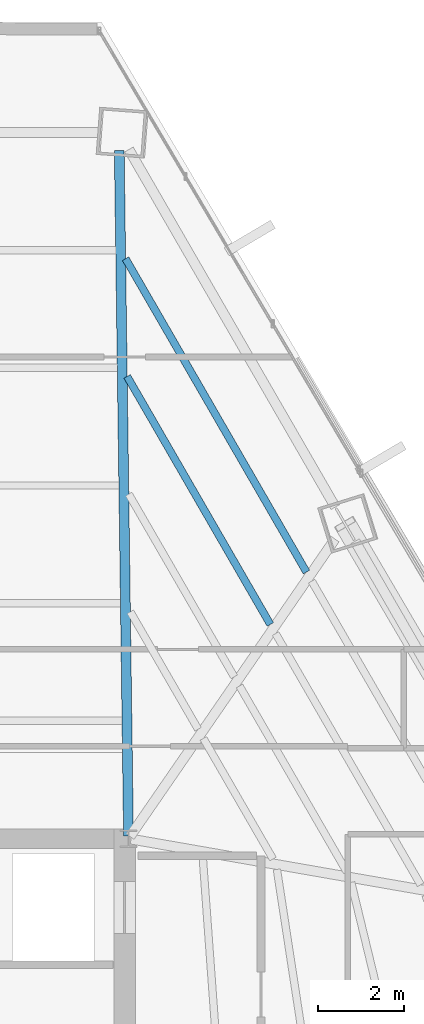
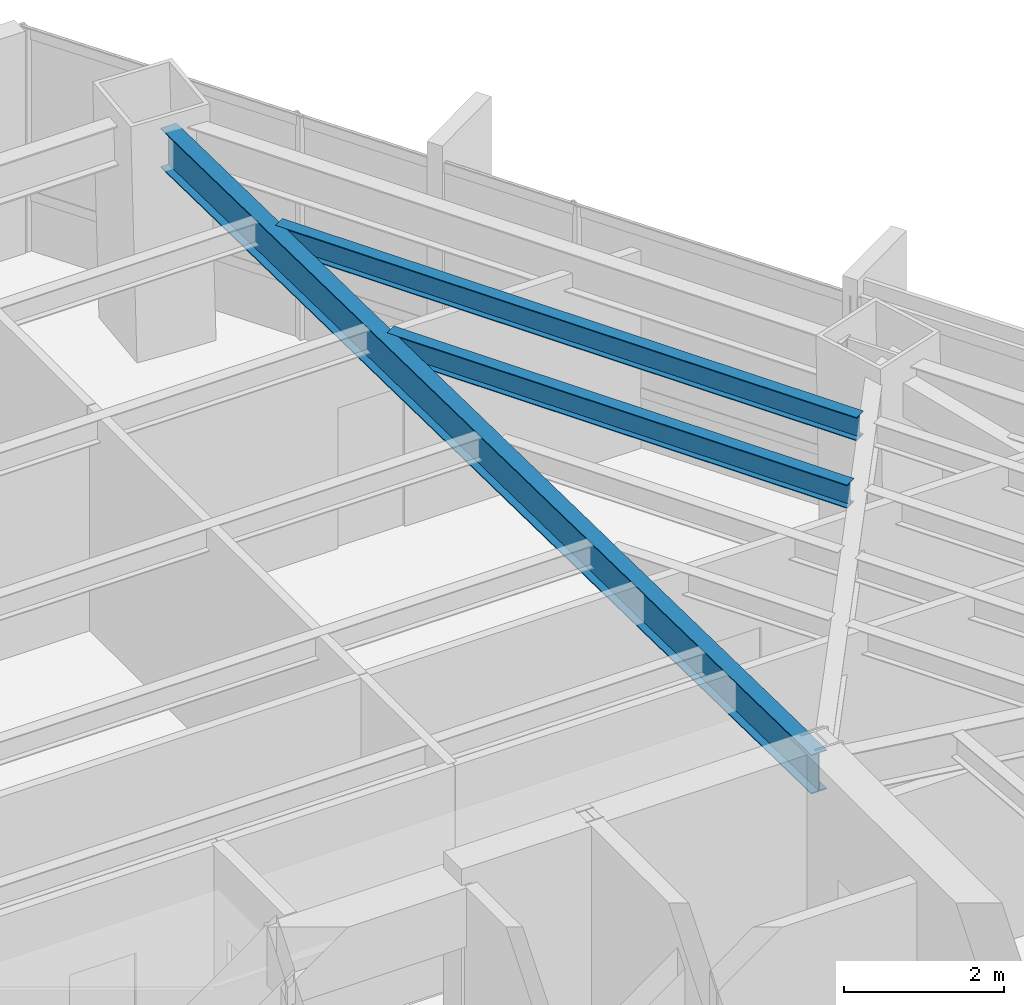
# One storey, part 26 of 35: 3 beams.
"""IFC4 building model written with IfcOpenShell, lengths in metres."""

from ifc_helpers import new_model, si_unit, direction, frame, origin, origin_2d, place, context, subcontext, project, spatial, i_section, extrude, source, transform, mapped, material, material_profile, profile_set, type_object, type_shapes, element, save


model = new_model("IFC4")

# Units and contexts
model_context = context("Model", 3, precision=1e-05, world=origin(), true_north=direction((0.0, 1.0)))
body_context = subcontext(model_context, "Body", "Model", "MODEL_VIEW")
ifc_project = project(units=[si_unit("LENGTHUNIT", "METRE"), si_unit("AREAUNIT", "SQUARE_METRE"), si_unit("VOLUMEUNIT", "CUBIC_METRE"), si_unit("PLANEANGLEUNIT", "RADIAN"), si_unit("MASSUNIT", "GRAM", prefix="KILO")], contexts=[model_context])

# Site, building, storey
site_placement = place(None, origin())
site = spatial("IfcSite", under=ifc_project, at=site_placement, CompositionType="ELEMENT")
building_placement = place(site_placement, origin())
building = spatial("IfcBuilding", under=site, at=building_placement, Name="Caelisora Broadcast Tower", CompositionType="ELEMENT")
storey_placement = place(building_placement, frame((0.0, 0.0, 109.050048828125)))
storey = spatial("IfcBuildingStorey", under=building, at=storey_placement, Name="L28", CompositionType="ELEMENT", Elevation=109.050048828125)

# Beams
ifc_material = material(Name="Steel Grade 350 (AS/NZS 3679.1)", Category="steel")
ifc_material_profile_1 = material_profile(ifc_material, i_section(OverallWidth=0.22802734375, OverallDepth=0.602294921875, WebThickness=0.010498046875, FlangeThickness=0.014892578125, at=origin_2d()), Name="Steel Grade 350 (AS/NZS 3679.1)")
ifc_profile_set_1 = profile_set([ifc_material_profile_1], Name="Steel Grade 350 (AS/NZS 3679.1)")
beam_type_1 = type_object("IfcBeamType", Name="PG04", PredefinedType="BEAM", material=ifc_profile_set_1)
shared_shape_1 = source(origin(), body_context, "Body", "SweptSolid", [
    extrude(i_section(OverallWidth=0.22802734375, OverallDepth=0.602294921875, WebThickness=0.010498046875, FlangeThickness=0.014892578125, at=origin_2d()), origin(), (0.0, 0.0, 1.0), 15.943115234375),
])
type_shapes(beam_type_1, [shared_shape_1])
beam_1_placement = place(storey_placement, frame((45.499267578125, 30.06005859375, 3.098876953125), z_axis=(-0.01347565884, 0.999909199187, 0.0), x_axis=(-0.999909199187, -0.01347565884, 0.0)))
element("IfcBeam", 1, at=beam_1_placement, inside=storey, type_object=beam_type_1, Name="L28 beam PG04", PredefinedType="BEAM", context=body_context, shape_type="MappedRepresentation", body=[
    mapped(shared_shape_1, transform((0.0, 0.0, 0.0), scale=1.0)),
])
ifc_material_profile_2 = material_profile(ifc_material, i_section(OverallWidth=0.172119140625, OverallDepth=0.358642578125, WebThickness=0.008056640625, FlangeThickness=0.012939453125, at=origin_2d()), Name="Steel Grade 350 (AS/NZS 3679.1)")
ifc_profile_set_2 = profile_set([ifc_material_profile_2], Name="Steel Grade 350 (AS/NZS 3679.1)")
beam_type_2 = type_object("IfcBeamType", Name="SB02", PredefinedType="JOIST", material=ifc_profile_set_2)
shared_shape_2 = source(origin(), body_context, "Body", "SweptSolid", [
    extrude(i_section(OverallWidth=0.172119140625, OverallDepth=0.358642578125, WebThickness=0.008056640625, FlangeThickness=0.012939453125, at=origin_2d()), origin(), (0.0, 0.0, 1.0), 6.658935546875),
])
beam_2_placement = place(storey_placement, frame((48.797119140625, 34.9814453125, 3.220703125), z_axis=(-0.499983756713, 0.866034781647, 0.0), x_axis=(-0.866034781647, -0.499983756713, 0.0)))
element("IfcBeam", 2, at=beam_2_placement, inside=storey, type_object=beam_type_2, Name="L28 beam SB02", PredefinedType="JOIST", context=body_context, shape_type="MappedRepresentation", body=[
    mapped(shared_shape_2, transform((0.0, 0.0, 0.0), scale=1.0)),
])
shared_shape_3 = source(origin(), body_context, "Body", "SweptSolid", [
    extrude(i_section(OverallWidth=0.172119140625, OverallDepth=0.358642578125, WebThickness=0.008056640625, FlangeThickness=0.012939453125, at=origin_2d()), origin(), (0.0, 0.0, 1.0), 8.411865234375),
])
type_shapes(beam_type_2, [shared_shape_2, shared_shape_3])
beam_3_placement = place(storey_placement, frame((49.636962890625, 36.2001953125, 3.220703125), z_axis=(-0.500009693337, 0.866019807261, 0.0), x_axis=(-0.866019807261, -0.500009693337, 0.0)))
element("IfcBeam", 3, at=beam_3_placement, inside=storey, type_object=beam_type_2, Name="L28 beam SB02", PredefinedType="JOIST", context=body_context, shape_type="MappedRepresentation", body=[
    mapped(shared_shape_3, transform((0.0, 0.0, 0.0), scale=1.0)),
])

save(model, "model.ifc")
